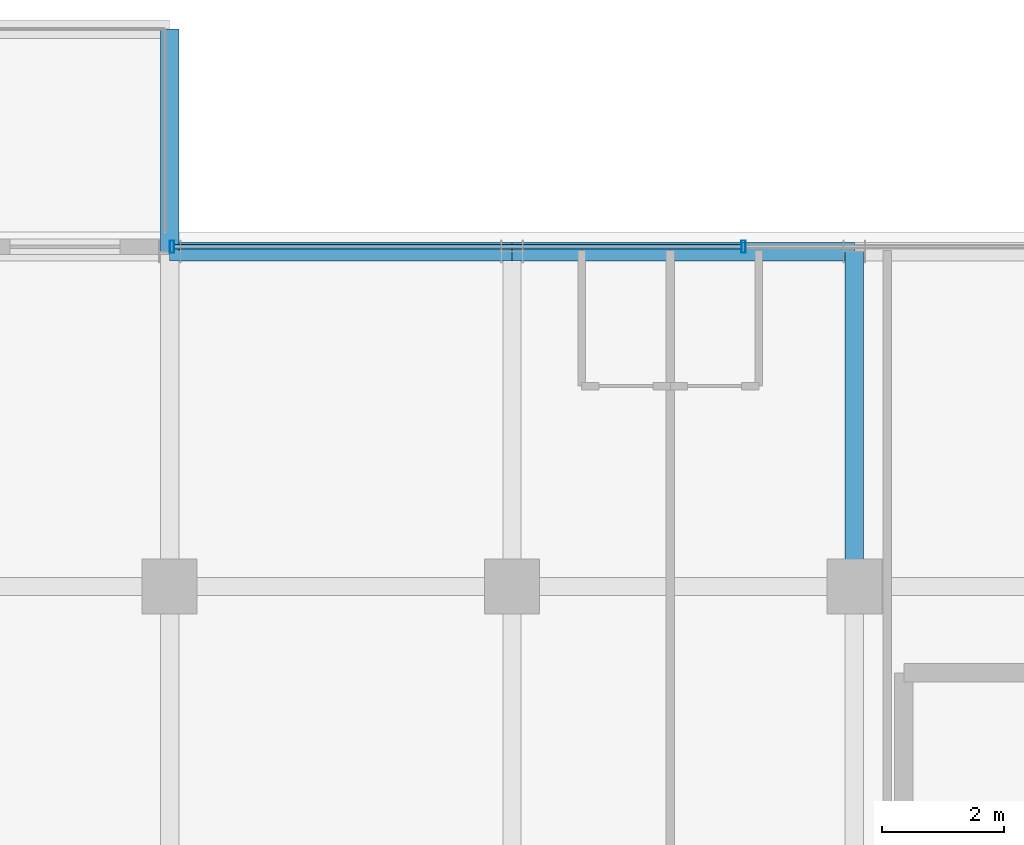
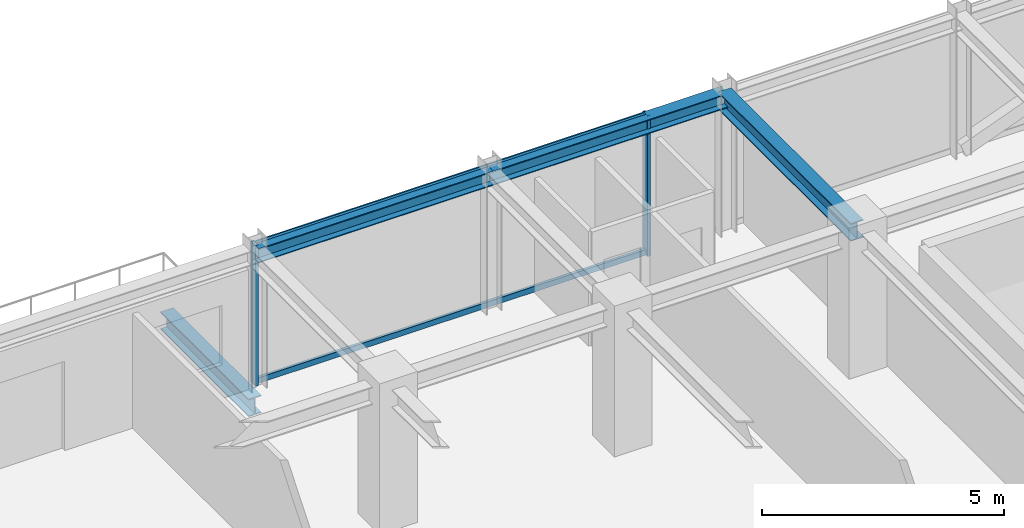
# One storey, part 28 of 40: 4 beams, 4 members, 1 element without a shape of its own.
"""IFC4 building model written with IfcOpenShell, lengths in metres."""

from ifc_helpers import new_model, si_unit, direction, frame, origin, origin_2d, place, context, subcontext, project, spatial, hollow_rectangle, i_section, extrude, source, transform, mapped, material, material_profile, profile_set, type_object, element, aggregate, save


model = new_model("IFC4")

# Units and contexts
model_context = context("Model", 3, precision=1e-05, world=origin(), true_north=direction((0.0, 1.0)))
body_context = subcontext(model_context, "Body", "Model", "MODEL_VIEW")
ifc_project = project(units=[si_unit("LENGTHUNIT", "METRE"), si_unit("AREAUNIT", "SQUARE_METRE"), si_unit("VOLUMEUNIT", "CUBIC_METRE"), si_unit("PLANEANGLEUNIT", "RADIAN"), si_unit("MASSUNIT", "GRAM", prefix="KILO")], contexts=[model_context])

# Site, building, storey
site_placement = place(None, origin())
site = spatial("IfcSite", under=ifc_project, at=site_placement, CompositionType="ELEMENT")
building_placement = place(site_placement, origin())
building = spatial("IfcBuilding", under=site, at=building_placement, Name="Nahalor Promenade Grand Hotel", CompositionType="ELEMENT")
storey_placement = place(building_placement, frame((0.0, 0.0, 288.800048828125)))
storey = spatial("IfcBuildingStorey", under=building, at=storey_placement, Name="L74", CompositionType="ELEMENT", Elevation=288.800048828125)

# Beams
ifc_material_1 = material(Name="Steel S355JR", Category="steel")
ifc_material_profile_1 = material_profile(ifc_material_1, i_section(OverallWidth=0.3, OverallDepth=0.45, WebThickness=0.014, FlangeThickness=0.026, at=origin_2d()), Name="HEB 450")
ifc_profile_set_1 = profile_set([ifc_material_profile_1], Name="Steel S355JR")
beam_type_1 = type_object("IfcBeamType", Name="Beam-Outrigger-HEB450", PredefinedType="BEAM", material=ifc_profile_set_1)
shared_shape_1 = source(origin(), body_context, "Body", "SweptSolid", [
    extrude(i_section(OverallWidth=0.3, OverallDepth=0.45, WebThickness=0.014, FlangeThickness=0.026, at=origin_2d()), origin(), (0.0, 0.0, 1.0), 3.64013671875),
])
beam_1_placement = place(storey_placement, frame((-8.39990234375, 22.47998046875, -0.505126953125), z_axis=(0.0, 1.0, 0.0), x_axis=(-1.0, 0.0, 0.0)))
element("IfcBeam", 1, at=beam_1_placement, inside=storey, type_object=beam_type_1, Name="BM-L74-BC-01-2", PredefinedType="BEAM", context=body_context, shape_type="MappedRepresentation", body=[
    mapped(shared_shape_1, transform((0.0, 0.0, 0.0), scale=1.0)),
])
ifc_material_profile_2 = material_profile(ifc_material_1, i_section(OverallWidth=0.3, OverallDepth=0.45, WebThickness=0.014, FlangeThickness=0.026, at=origin_2d()), Name="HEB 450")
ifc_profile_set_2 = profile_set([ifc_material_profile_2], Name="Steel S355JR")
beam_type_2 = type_object("IfcBeamType", Name="Beam-Girder-HEB450", PredefinedType="BEAM", material=ifc_profile_set_2)
shared_shape_2 = source(origin(), body_context, "Body", "SweptSolid", [
    extrude(i_section(OverallWidth=0.3, OverallDepth=0.45, WebThickness=0.014, FlangeThickness=0.026, at=origin_2d()), origin(), (0.0, 0.0, 1.0), 5.47998046875),
])
beam_2_placement = place(storey_placement, frame((2.800048828125, 17.0, 3.324951171875), z_axis=(0.0, 1.0, 0.0), x_axis=(-1.0, 0.0, 0.0)))
element("IfcBeam", 2, at=beam_2_placement, inside=storey, type_object=beam_type_2, Name="BM-L74-GY-3-4", PredefinedType="BEAM", context=body_context, shape_type="MappedRepresentation", body=[
    mapped(shared_shape_2, transform((0.0, 0.0, 0.0), scale=1.0)),
])
ifc_material_profile_3 = material_profile(ifc_material_1, i_section(OverallWidth=0.3, OverallDepth=0.36, WebThickness=0.0125, FlangeThickness=0.0225, at=origin_2d()), Name="HEB 360")
ifc_profile_set_3 = profile_set([ifc_material_profile_3], Name="Steel S355JR")
beam_type_3 = type_object("IfcBeamType", Name="Beam-Spandrel-HEB360", PredefinedType="SPANDREL", material=ifc_profile_set_3)
shared_shape_3 = source(origin(), body_context, "Body", "SweptSolid", [
    extrude(i_section(OverallWidth=0.3, OverallDepth=0.36, WebThickness=0.0125, FlangeThickness=0.0225, at=origin_2d()), origin(), (0.0, 0.0, 1.0), 5.599853515625),
])
beam_3_placement = place(storey_placement, frame((-8.39990234375, 22.47998046875, 3.369873046875), z_axis=(1.0, 0.0, 0.0), x_axis=(0.0, 1.0, 0.0)))
element("IfcBeam", 3, at=beam_3_placement, inside=storey, type_object=beam_type_3, Name="BM-L74-SP-N-1", PredefinedType="SPANDREL", context=body_context, shape_type="MappedRepresentation", body=[
    mapped(shared_shape_3, transform((0.0, 0.0, 0.0), scale=1.0)),
])
shared_shape_4 = source(origin(), body_context, "Body", "SweptSolid", [
    extrude(i_section(OverallWidth=0.3, OverallDepth=0.36, WebThickness=0.0125, FlangeThickness=0.0225, at=origin_2d()), origin(), (0.0, 0.0, 1.0), 5.60009765625),
])
beam_4_placement = place(storey_placement, frame((-2.800048828125, 22.47998046875, 3.369873046875), z_axis=(1.0, 0.0, 0.0), x_axis=(0.0, 1.0, 0.0)))
element("IfcBeam", 4, at=beam_4_placement, inside=storey, type_object=beam_type_3, Name="BM-L74-SP-N-2", PredefinedType="SPANDREL", context=body_context, shape_type="MappedRepresentation", body=[
    mapped(shared_shape_4, transform((0.0, 0.0, 0.0), scale=1.0)),
])

# Curtain wall, members
ifc_material_2 = material(Name="Anodised Bronze Aluminium EN AW-6063 T6", Category="aluminium")
curtain_wall_type = type_object("IfcCurtainWallType", Name="CW3 Elliptical-Void Collar Unitised Curtain Wall", PredefinedType="USERDEFINED", material=ifc_material_2)
curtain_wall_placement = place(storey_placement, origin())
curtain_wall = element("IfcCurtainWall", 5, at=curtain_wall_placement, inside=storey, type_object=curtain_wall_type, Name="L74 Curtain Wall CW-L74-N-3", ObjectType="UNITISED_CURTAIN_WALL", PredefinedType="USERDEFINED")
ifc_material_profile_4 = material_profile(ifc_material_2, hollow_rectangle(XDim=0.07, YDim=0.14, WallThickness=0.004, at=origin_2d()), Name="CWT 70x140x4")
ifc_profile_set_4 = profile_set([ifc_material_profile_4], Name="Anodised Bronze Aluminium EN AW-6063 T6")
member_type_1 = type_object("IfcMemberType", Name="CWT3 Void Collar Transom 70x140", PredefinedType="USERDEFINED", material=ifc_profile_set_4)
shared_shape_5 = source(origin(), body_context, "Body", "SweptSolid", [
    extrude(hollow_rectangle(XDim=0.07, YDim=0.14, WallThickness=0.004, at=origin_2d()), origin(), (0.0, 0.0, 1.0), 9.28173828125),
])
member_1_placement = place(storey_placement, frame((-8.330078125, 22.56005859375, 0.070068359375), z_axis=(1.0, 0.0, 0.0), x_axis=(0.0, 1.0, 0.0)))
member_1 = element("IfcMember", 6, at=member_1_placement, type_object=member_type_1, Name="CW-L74-N-3 Transom 0-0", ObjectType="TRANSOM", PredefinedType="USERDEFINED", context=body_context, shape_type="MappedRepresentation", body=[
    mapped(shared_shape_5, transform((0.0, 0.0, 0.0), scale=1.0)),
])
member_2_placement = place(storey_placement, frame((-8.330078125, 22.56005859375, 3.47998046875), z_axis=(1.0, 0.0, 0.0), x_axis=(0.0, 1.0, 0.0)))
member_2 = element("IfcMember", 7, at=member_2_placement, type_object=member_type_1, Name="CW-L74-N-3 Transom 0-1", ObjectType="TRANSOM", PredefinedType="USERDEFINED", context=body_context, shape_type="MappedRepresentation", body=[
    mapped(shared_shape_5, transform((0.0, 0.0, 0.0), scale=1.0)),
])
ifc_material_profile_5 = material_profile(ifc_material_2, hollow_rectangle(XDim=0.07, YDim=0.2, WallThickness=0.005, at=origin_2d()), Name="CWM 70x200x5")
ifc_profile_set_5 = profile_set([ifc_material_profile_5], Name="Anodised Bronze Aluminium EN AW-6063 T6")
member_type_2 = type_object("IfcMemberType", Name="CWM3 Void Collar Mullion 70x200", PredefinedType="MULLION", material=ifc_profile_set_5)
shared_shape_6 = source(origin(), body_context, "Body", "SweptSolid", [
    extrude(hollow_rectangle(XDim=0.07, YDim=0.2, WallThickness=0.005, at=origin_2d()), origin(), (0.0, 0.0, 1.0), 3.550048828125),
])
member_3_placement = place(storey_placement, frame((-8.364990234375, 22.56005859375, 0.0), z_axis=(0.0, 0.0, 1.0), x_axis=(1.0, 0.0, 0.0)))
member_3 = element("IfcMember", 8, at=member_3_placement, type_object=member_type_2, Name="CW-L74-N-3 Mullion 0", PredefinedType="MULLION", context=body_context, shape_type="MappedRepresentation", body=[
    mapped(shared_shape_6, transform((0.0, 0.0, 0.0), scale=1.0)),
])
member_4_placement = place(storey_placement, frame((0.986572265625, 22.56005859375, 0.0), z_axis=(0.0, 0.0, 1.0), x_axis=(1.0, 0.0, 0.0)))
member_4 = element("IfcMember", 9, at=member_4_placement, type_object=member_type_2, Name="CW-L74-N-3 Mullion 1", PredefinedType="MULLION", context=body_context, shape_type="MappedRepresentation", body=[
    mapped(shared_shape_6, transform((0.0, 0.0, 0.0), scale=1.0)),
])
aggregate(curtain_wall, [member_3, member_4, member_1, member_2])

save(model, "model.ifc")
